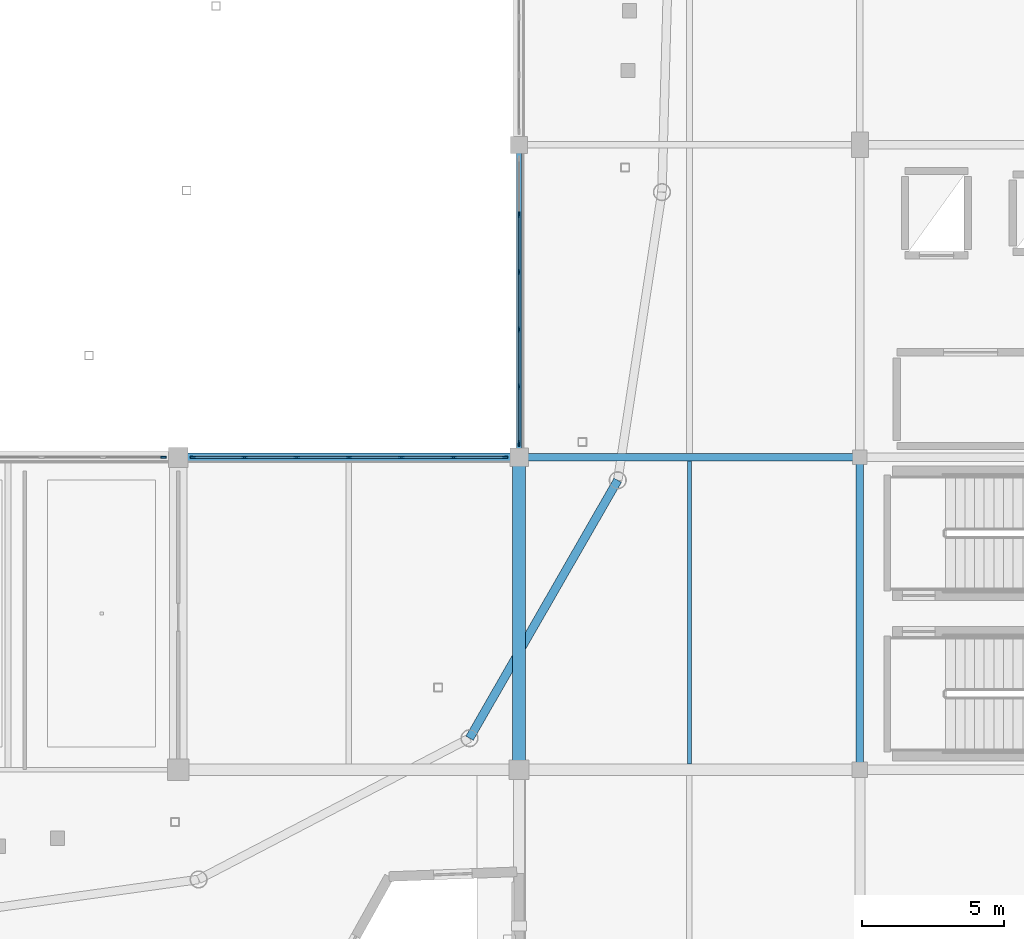
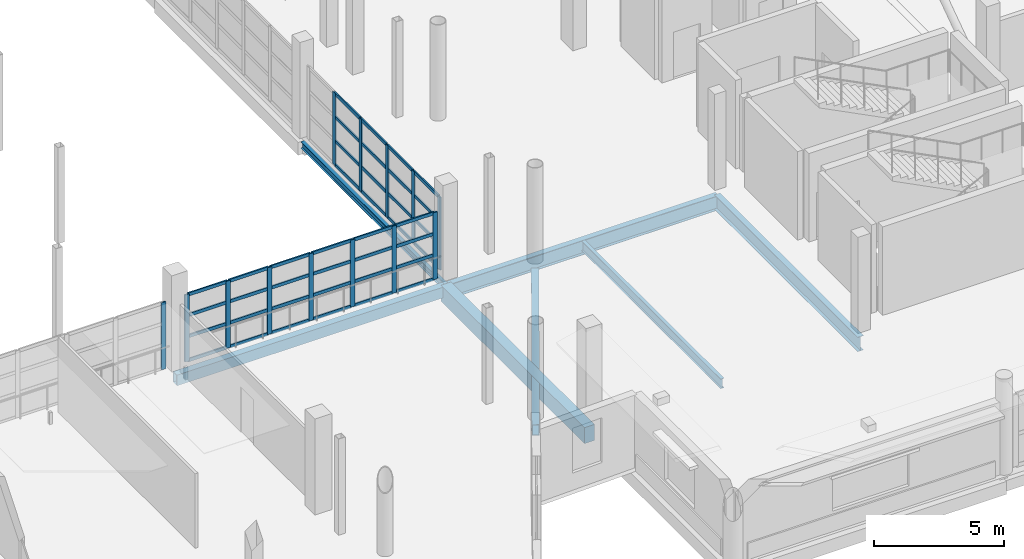
# One storey, part 51 of 118: 53 members, 7 beams, 3 elements without a shape of their own.
"""IFC4 building model written with IfcOpenShell, lengths in metres."""

from ifc_helpers import new_model, si_unit, direction, frame, origin, origin_2d, place, context, subcontext, project, spatial, rectangle, hollow_rectangle, i_section, extrude, material, material_profile, profile_set, type_object, element, aggregate, save


model = new_model("IFC4")

# Units and contexts
model_context = context("Model", 3, precision=1e-05, world=origin(), true_north=direction((0.0, 1.0)))
body_context = subcontext(model_context, "Body", "Model", "MODEL_VIEW")
ifc_project = project(units=[si_unit("LENGTHUNIT", "METRE"), si_unit("AREAUNIT", "SQUARE_METRE"), si_unit("VOLUMEUNIT", "CUBIC_METRE"), si_unit("PLANEANGLEUNIT", "RADIAN"), si_unit("MASSUNIT", "GRAM", prefix="KILO")], contexts=[model_context])

# Site, building, storey
site_placement = place(None, origin())
site = spatial("IfcSite", under=ifc_project, at=site_placement, CompositionType="ELEMENT")
building_placement = place(site_placement, origin())
building = spatial("IfcBuilding", under=site, at=building_placement, Name="Luwafu Chhajja Arena", CompositionType="ELEMENT")
storey_placement = place(building_placement, frame((0.0, 0.0, 10.199951171875)))
storey = spatial("IfcBuildingStorey", under=building, at=storey_placement, Name="L02", CompositionType="ELEMENT", Elevation=10.199951171875)

# Curtain wall, member
ifc_material_1 = material(Name="Anodised bronze aluminium", Category="aluminium")
curtain_wall_type = type_object("IfcCurtainWallType", Name="Hospitality Ring Curtain Wall", PredefinedType="USERDEFINED", material=ifc_material_1)
curtain_wall_1_placement = place(storey_placement, origin())
curtain_wall_1 = element("IfcCurtainWall", 1, at=curtain_wall_1_placement, inside=storey, type_object=curtain_wall_type, Name="L02 Bowl Viewing Curtain Wall CWR-L02-06", ObjectType="CURTAIN WALL", PredefinedType="USERDEFINED")
ifc_material_profile_1 = material_profile(ifc_material_1, rectangle(XDim=0.06494140625, YDim=0.199951171875, at=origin_2d()), Name="CWM 65x200")
ifc_profile_set_1 = profile_set([ifc_material_profile_1], Name="Anodised bronze aluminium")
member_type_1 = type_object("IfcMemberType", Name="Bronze Curtain Wall Mullion 65x200", PredefinedType="MULLION", material=ifc_profile_set_1)
member_1_placement = place(storey_placement, frame((127.4775390625, 22.0, 0.0), z_axis=(0.0, 0.0, 1.0), x_axis=(0.0, 1.0, 0.0)))
member_1 = element("IfcMember", 2, at=member_1_placement, type_object=member_type_1, Name="CW-02 mullion 5", PredefinedType="MULLION", context=body_context, shape_type="SweptSolid", body=[
    extrude(rectangle(XDim=0.06494140625, YDim=0.199951171875, at=origin_2d()), origin(), (0.0, 0.0, 1.0), 3.14013671875),
])
aggregate(curtain_wall_1, [member_1])

# Curtain wall, members
curtain_wall_2_placement = place(storey_placement, origin())
curtain_wall_2 = element("IfcCurtainWall", 3, at=curtain_wall_2_placement, inside=storey, type_object=curtain_wall_type, Name="L02 Bowl Viewing Curtain Wall CWR-L02-07", ObjectType="CURTAIN WALL", PredefinedType="USERDEFINED")
member_2_placement = place(storey_placement, frame((128.5224609375, 22.0, 0.0), z_axis=(0.0, 0.0, 1.0), x_axis=(0.0, 1.0, 0.0)))
member_2 = element("IfcMember", 4, at=member_2_placement, type_object=member_type_1, Name="CW-02 mullion 1", PredefinedType="MULLION", context=body_context, shape_type="SweptSolid", body=[
    extrude(rectangle(XDim=0.06494140625, YDim=0.199951171875, at=origin_2d()), origin(), (0.0, 0.0, 1.0), 3.14013671875),
])
member_3_placement = place(storey_placement, frame((130.330810546875, 22.0, 0.0), z_axis=(0.0, 0.0, 1.0), x_axis=(0.0, 1.0, 0.0)))
member_3 = element("IfcMember", 5, at=member_3_placement, type_object=member_type_1, Name="CW-02 mullion 2", PredefinedType="MULLION", context=body_context, shape_type="SweptSolid", body=[
    extrude(rectangle(XDim=0.06494140625, YDim=0.199951171875, at=origin_2d()), origin(), (0.0, 0.0, 1.0), 3.14013671875),
])
member_4_placement = place(storey_placement, frame((132.171630859375, 22.0, 0.0), z_axis=(0.0, 0.0, 1.0), x_axis=(0.0, 1.0, 0.0)))
member_4 = element("IfcMember", 6, at=member_4_placement, type_object=member_type_1, Name="CW-02 mullion 3", PredefinedType="MULLION", context=body_context, shape_type="SweptSolid", body=[
    extrude(rectangle(XDim=0.06494140625, YDim=0.199951171875, at=origin_2d()), origin(), (0.0, 0.0, 1.0), 3.14013671875),
])
member_5_placement = place(storey_placement, frame((134.012451171875, 22.0, 0.0), z_axis=(0.0, 0.0, 1.0), x_axis=(0.0, 1.0, 0.0)))
member_5 = element("IfcMember", 7, at=member_5_placement, type_object=member_type_1, Name="CW-02 mullion 4", PredefinedType="MULLION", context=body_context, shape_type="SweptSolid", body=[
    extrude(rectangle(XDim=0.06494140625, YDim=0.199951171875, at=origin_2d()), origin(), (0.0, 0.0, 1.0), 3.14013671875),
])
member_6_placement = place(storey_placement, frame((135.853271484375, 22.0, 0.0), z_axis=(0.0, 0.0, 1.0), x_axis=(0.0, 1.0, 0.0)))
member_6 = element("IfcMember", 8, at=member_6_placement, type_object=member_type_1, Name="CW-02 mullion 5", PredefinedType="MULLION", context=body_context, shape_type="SweptSolid", body=[
    extrude(rectangle(XDim=0.06494140625, YDim=0.199951171875, at=origin_2d()), origin(), (0.0, 0.0, 1.0), 3.14013671875),
])
member_7_placement = place(storey_placement, frame((137.694091796875, 22.0, 0.0), z_axis=(0.0, 0.0, 1.0), x_axis=(0.0, 1.0, 0.0)))
member_7 = element("IfcMember", 9, at=member_7_placement, type_object=member_type_1, Name="CW-02 mullion 6", PredefinedType="MULLION", context=body_context, shape_type="SweptSolid", body=[
    extrude(rectangle(XDim=0.06494140625, YDim=0.199951171875, at=origin_2d()), origin(), (0.0, 0.0, 1.0), 3.14013671875),
])
member_8_placement = place(storey_placement, frame((139.50244140625, 22.0, 0.0), z_axis=(0.0, 0.0, 1.0), x_axis=(0.0, 1.0, 0.0)))
member_8 = element("IfcMember", 10, at=member_8_placement, type_object=member_type_1, Name="CW-02 mullion 7", PredefinedType="MULLION", context=body_context, shape_type="SweptSolid", body=[
    extrude(rectangle(XDim=0.06494140625, YDim=0.199951171875, at=origin_2d()), origin(), (0.0, 0.0, 1.0), 3.14013671875),
])

curtain_wall_3_placement = place(storey_placement, origin())
curtain_wall_3 = element("IfcCurtainWall", 11, at=curtain_wall_3_placement, inside=storey, type_object=curtain_wall_type, Name="L02 Bowl Viewing Curtain Wall CWR-L02-20", ObjectType="CURTAIN WALL", PredefinedType="USERDEFINED")
member_9_placement = place(storey_placement, frame((140.0, 22.49755859375, 0.0), z_axis=(0.0, 0.0, 1.0), x_axis=(-1.0, 0.0, 0.0)))
member_9 = element("IfcMember", 12, at=member_9_placement, type_object=member_type_1, Name="CW-02 mullion 1", PredefinedType="MULLION", context=body_context, shape_type="SweptSolid", body=[
    extrude(rectangle(XDim=0.06494140625, YDim=0.199951171875, at=origin_2d()), origin(), (0.0, 0.0, 1.0), 3.39013671875),
])
member_10_placement = place(storey_placement, frame((140.0, 24.48388671875, 0.0), z_axis=(0.0, 0.0, 1.0), x_axis=(-1.0, 0.0, 0.0)))
member_10 = element("IfcMember", 13, at=member_10_placement, type_object=member_type_1, Name="CW-02 mullion 2", PredefinedType="MULLION", context=body_context, shape_type="SweptSolid", body=[
    extrude(rectangle(XDim=0.06494140625, YDim=0.199951171875, at=origin_2d()), origin(), (0.0, 0.0, 1.0), 3.39013671875),
])
member_11_placement = place(storey_placement, frame((140.0, 26.5029296875, 0.0), z_axis=(0.0, 0.0, 1.0), x_axis=(-1.0, 0.0, 0.0)))
member_11 = element("IfcMember", 14, at=member_11_placement, type_object=member_type_1, Name="CW-02 mullion 3", PredefinedType="MULLION", context=body_context, shape_type="SweptSolid", body=[
    extrude(rectangle(XDim=0.06494140625, YDim=0.199951171875, at=origin_2d()), origin(), (0.0, 0.0, 1.0), 3.39013671875),
])
member_12_placement = place(storey_placement, frame((140.0, 28.52197265625, 0.0), z_axis=(0.0, 0.0, 1.0), x_axis=(-1.0, 0.0, 0.0)))
member_12 = element("IfcMember", 15, at=member_12_placement, type_object=member_type_1, Name="CW-02 mullion 4", PredefinedType="MULLION", context=body_context, shape_type="SweptSolid", body=[
    extrude(rectangle(XDim=0.06494140625, YDim=0.199951171875, at=origin_2d()), origin(), (0.0, 0.0, 1.0), 3.39013671875),
])
member_13_placement = place(storey_placement, frame((140.0, 30.541015625, 0.0), z_axis=(0.0, 0.0, 1.0), x_axis=(-1.0, 0.0, 0.0)))
member_13 = element("IfcMember", 16, at=member_13_placement, type_object=member_type_1, Name="CW-02 mullion 5", PredefinedType="MULLION", context=body_context, shape_type="SweptSolid", body=[
    extrude(rectangle(XDim=0.06494140625, YDim=0.199951171875, at=origin_2d()), origin(), (0.0, 0.0, 1.0), 3.39013671875),
])

# Member
ifc_material_profile_2 = material_profile(ifc_material_1, rectangle(XDim=0.06494140625, YDim=0.14990234375, at=origin_2d()), Name="CWT 65x150")
ifc_profile_set_2 = profile_set([ifc_material_profile_2], Name="Anodised bronze aluminium")
member_type_2 = type_object("IfcMemberType", Name="Bronze Curtain Wall Transom 65x150", PredefinedType="USERDEFINED", material=ifc_profile_set_2)
member_14_placement = place(storey_placement, frame((128.554931640625, 22.0, 0.032470703125), z_axis=(1.0, 0.0, 0.0), x_axis=(0.0, 1.0, 0.0)))
member_14 = element("IfcMember", 17, at=member_14_placement, type_object=member_type_2, Name="CW-02 transom 1.1", ObjectType="TRANSOM", PredefinedType="USERDEFINED", context=body_context, shape_type="SweptSolid", body=[
    extrude(rectangle(XDim=0.06494140625, YDim=0.14990234375, at=origin_2d()), origin(), (0.0, 0.0, 1.0), 1.743408203125),
])

member_15_placement = place(storey_placement, frame((128.554931640625, 22.0, 1.150146484375), z_axis=(1.0, 0.0, 0.0), x_axis=(0.0, 1.0, 0.0)))
member_15 = element("IfcMember", 18, at=member_15_placement, type_object=member_type_2, Name="CW-02 transom 1.2", ObjectType="TRANSOM", PredefinedType="USERDEFINED", context=body_context, shape_type="SweptSolid", body=[
    extrude(rectangle(XDim=0.06494140625, YDim=0.14990234375, at=origin_2d()), origin(), (0.0, 0.0, 1.0), 1.743408203125),
])

member_16_placement = place(storey_placement, frame((128.554931640625, 22.0, 2.14501953125), z_axis=(1.0, 0.0, 0.0), x_axis=(0.0, 1.0, 0.0)))
member_16 = element("IfcMember", 19, at=member_16_placement, type_object=member_type_2, Name="CW-02 transom 1.3", ObjectType="TRANSOM", PredefinedType="USERDEFINED", context=body_context, shape_type="SweptSolid", body=[
    extrude(rectangle(XDim=0.06494140625, YDim=0.14990234375, at=origin_2d()), origin(), (0.0, 0.0, 1.0), 1.743408203125),
])

member_17_placement = place(storey_placement, frame((128.554931640625, 22.0, 3.107666015625), z_axis=(1.0, 0.0, 0.0), x_axis=(0.0, 1.0, 0.0)))
member_17 = element("IfcMember", 20, at=member_17_placement, type_object=member_type_2, Name="CW-02 transom 1.4", ObjectType="TRANSOM", PredefinedType="USERDEFINED", context=body_context, shape_type="SweptSolid", body=[
    extrude(rectangle(XDim=0.06494140625, YDim=0.14990234375, at=origin_2d()), origin(), (0.0, 0.0, 1.0), 1.743408203125),
])

member_18_placement = place(storey_placement, frame((130.36328125, 22.0, 0.032470703125), z_axis=(1.0, 0.0, 0.0), x_axis=(0.0, 1.0, 0.0)))
member_18 = element("IfcMember", 21, at=member_18_placement, type_object=member_type_2, Name="CW-02 transom 2.1", ObjectType="TRANSOM", PredefinedType="USERDEFINED", context=body_context, shape_type="SweptSolid", body=[
    extrude(rectangle(XDim=0.06494140625, YDim=0.14990234375, at=origin_2d()), origin(), (0.0, 0.0, 1.0), 1.77587890625),
])

member_19_placement = place(storey_placement, frame((130.36328125, 22.0, 1.150146484375), z_axis=(1.0, 0.0, 0.0), x_axis=(0.0, 1.0, 0.0)))
member_19 = element("IfcMember", 22, at=member_19_placement, type_object=member_type_2, Name="CW-02 transom 2.2", ObjectType="TRANSOM", PredefinedType="USERDEFINED", context=body_context, shape_type="SweptSolid", body=[
    extrude(rectangle(XDim=0.06494140625, YDim=0.14990234375, at=origin_2d()), origin(), (0.0, 0.0, 1.0), 1.77587890625),
])

member_20_placement = place(storey_placement, frame((130.36328125, 22.0, 2.14501953125), z_axis=(1.0, 0.0, 0.0), x_axis=(0.0, 1.0, 0.0)))
member_20 = element("IfcMember", 23, at=member_20_placement, type_object=member_type_2, Name="CW-02 transom 2.3", ObjectType="TRANSOM", PredefinedType="USERDEFINED", context=body_context, shape_type="SweptSolid", body=[
    extrude(rectangle(XDim=0.06494140625, YDim=0.14990234375, at=origin_2d()), origin(), (0.0, 0.0, 1.0), 1.77587890625),
])

member_21_placement = place(storey_placement, frame((130.36328125, 22.0, 3.107666015625), z_axis=(1.0, 0.0, 0.0), x_axis=(0.0, 1.0, 0.0)))
member_21 = element("IfcMember", 24, at=member_21_placement, type_object=member_type_2, Name="CW-02 transom 2.4", ObjectType="TRANSOM", PredefinedType="USERDEFINED", context=body_context, shape_type="SweptSolid", body=[
    extrude(rectangle(XDim=0.06494140625, YDim=0.14990234375, at=origin_2d()), origin(), (0.0, 0.0, 1.0), 1.77587890625),
])

member_22_placement = place(storey_placement, frame((132.2041015625, 22.0, 0.032470703125), z_axis=(1.0, 0.0, 0.0), x_axis=(0.0, 1.0, 0.0)))
member_22 = element("IfcMember", 25, at=member_22_placement, type_object=member_type_2, Name="CW-02 transom 3.1", ObjectType="TRANSOM", PredefinedType="USERDEFINED", context=body_context, shape_type="SweptSolid", body=[
    extrude(rectangle(XDim=0.06494140625, YDim=0.14990234375, at=origin_2d()), origin(), (0.0, 0.0, 1.0), 1.77587890625),
])

member_23_placement = place(storey_placement, frame((132.2041015625, 22.0, 1.150146484375), z_axis=(1.0, 0.0, 0.0), x_axis=(0.0, 1.0, 0.0)))
member_23 = element("IfcMember", 26, at=member_23_placement, type_object=member_type_2, Name="CW-02 transom 3.2", ObjectType="TRANSOM", PredefinedType="USERDEFINED", context=body_context, shape_type="SweptSolid", body=[
    extrude(rectangle(XDim=0.06494140625, YDim=0.14990234375, at=origin_2d()), origin(), (0.0, 0.0, 1.0), 1.77587890625),
])

member_24_placement = place(storey_placement, frame((132.2041015625, 22.0, 2.14501953125), z_axis=(1.0, 0.0, 0.0), x_axis=(0.0, 1.0, 0.0)))
member_24 = element("IfcMember", 27, at=member_24_placement, type_object=member_type_2, Name="CW-02 transom 3.3", ObjectType="TRANSOM", PredefinedType="USERDEFINED", context=body_context, shape_type="SweptSolid", body=[
    extrude(rectangle(XDim=0.06494140625, YDim=0.14990234375, at=origin_2d()), origin(), (0.0, 0.0, 1.0), 1.77587890625),
])

member_25_placement = place(storey_placement, frame((132.2041015625, 22.0, 3.107666015625), z_axis=(1.0, 0.0, 0.0), x_axis=(0.0, 1.0, 0.0)))
member_25 = element("IfcMember", 28, at=member_25_placement, type_object=member_type_2, Name="CW-02 transom 3.4", ObjectType="TRANSOM", PredefinedType="USERDEFINED", context=body_context, shape_type="SweptSolid", body=[
    extrude(rectangle(XDim=0.06494140625, YDim=0.14990234375, at=origin_2d()), origin(), (0.0, 0.0, 1.0), 1.77587890625),
])

member_26_placement = place(storey_placement, frame((134.044921875, 22.0, 0.032470703125), z_axis=(1.0, 0.0, 0.0), x_axis=(0.0, 1.0, 0.0)))
member_26 = element("IfcMember", 29, at=member_26_placement, type_object=member_type_2, Name="CW-02 transom 4.1", ObjectType="TRANSOM", PredefinedType="USERDEFINED", context=body_context, shape_type="SweptSolid", body=[
    extrude(rectangle(XDim=0.06494140625, YDim=0.14990234375, at=origin_2d()), origin(), (0.0, 0.0, 1.0), 1.77587890625),
])

member_27_placement = place(storey_placement, frame((134.044921875, 22.0, 1.150146484375), z_axis=(1.0, 0.0, 0.0), x_axis=(0.0, 1.0, 0.0)))
member_27 = element("IfcMember", 30, at=member_27_placement, type_object=member_type_2, Name="CW-02 transom 4.2", ObjectType="TRANSOM", PredefinedType="USERDEFINED", context=body_context, shape_type="SweptSolid", body=[
    extrude(rectangle(XDim=0.06494140625, YDim=0.14990234375, at=origin_2d()), origin(), (0.0, 0.0, 1.0), 1.77587890625),
])

member_28_placement = place(storey_placement, frame((134.044921875, 22.0, 2.14501953125), z_axis=(1.0, 0.0, 0.0), x_axis=(0.0, 1.0, 0.0)))
member_28 = element("IfcMember", 31, at=member_28_placement, type_object=member_type_2, Name="CW-02 transom 4.3", ObjectType="TRANSOM", PredefinedType="USERDEFINED", context=body_context, shape_type="SweptSolid", body=[
    extrude(rectangle(XDim=0.06494140625, YDim=0.14990234375, at=origin_2d()), origin(), (0.0, 0.0, 1.0), 1.77587890625),
])

member_29_placement = place(storey_placement, frame((134.044921875, 22.0, 3.107666015625), z_axis=(1.0, 0.0, 0.0), x_axis=(0.0, 1.0, 0.0)))
member_29 = element("IfcMember", 32, at=member_29_placement, type_object=member_type_2, Name="CW-02 transom 4.4", ObjectType="TRANSOM", PredefinedType="USERDEFINED", context=body_context, shape_type="SweptSolid", body=[
    extrude(rectangle(XDim=0.06494140625, YDim=0.14990234375, at=origin_2d()), origin(), (0.0, 0.0, 1.0), 1.77587890625),
])

member_30_placement = place(storey_placement, frame((135.8857421875, 22.0, 0.032470703125), z_axis=(1.0, 0.0, 0.0), x_axis=(0.0, 1.0, 0.0)))
member_30 = element("IfcMember", 33, at=member_30_placement, type_object=member_type_2, Name="CW-02 transom 5.1", ObjectType="TRANSOM", PredefinedType="USERDEFINED", context=body_context, shape_type="SweptSolid", body=[
    extrude(rectangle(XDim=0.06494140625, YDim=0.14990234375, at=origin_2d()), origin(), (0.0, 0.0, 1.0), 1.77587890625),
])

member_31_placement = place(storey_placement, frame((135.8857421875, 22.0, 1.150146484375), z_axis=(1.0, 0.0, 0.0), x_axis=(0.0, 1.0, 0.0)))
member_31 = element("IfcMember", 34, at=member_31_placement, type_object=member_type_2, Name="CW-02 transom 5.2", ObjectType="TRANSOM", PredefinedType="USERDEFINED", context=body_context, shape_type="SweptSolid", body=[
    extrude(rectangle(XDim=0.06494140625, YDim=0.14990234375, at=origin_2d()), origin(), (0.0, 0.0, 1.0), 1.77587890625),
])

member_32_placement = place(storey_placement, frame((135.8857421875, 22.0, 2.14501953125), z_axis=(1.0, 0.0, 0.0), x_axis=(0.0, 1.0, 0.0)))
member_32 = element("IfcMember", 35, at=member_32_placement, type_object=member_type_2, Name="CW-02 transom 5.3", ObjectType="TRANSOM", PredefinedType="USERDEFINED", context=body_context, shape_type="SweptSolid", body=[
    extrude(rectangle(XDim=0.06494140625, YDim=0.14990234375, at=origin_2d()), origin(), (0.0, 0.0, 1.0), 1.77587890625),
])

member_33_placement = place(storey_placement, frame((135.8857421875, 22.0, 3.107666015625), z_axis=(1.0, 0.0, 0.0), x_axis=(0.0, 1.0, 0.0)))
member_33 = element("IfcMember", 36, at=member_33_placement, type_object=member_type_2, Name="CW-02 transom 5.4", ObjectType="TRANSOM", PredefinedType="USERDEFINED", context=body_context, shape_type="SweptSolid", body=[
    extrude(rectangle(XDim=0.06494140625, YDim=0.14990234375, at=origin_2d()), origin(), (0.0, 0.0, 1.0), 1.77587890625),
])

member_34_placement = place(storey_placement, frame((137.7265625, 22.0, 0.032470703125), z_axis=(1.0, 0.0, 0.0), x_axis=(0.0, 1.0, 0.0)))
member_34 = element("IfcMember", 37, at=member_34_placement, type_object=member_type_2, Name="CW-02 transom 6.1", ObjectType="TRANSOM", PredefinedType="USERDEFINED", context=body_context, shape_type="SweptSolid", body=[
    extrude(rectangle(XDim=0.06494140625, YDim=0.14990234375, at=origin_2d()), origin(), (0.0, 0.0, 1.0), 1.743408203125),
])

member_35_placement = place(storey_placement, frame((137.7265625, 22.0, 1.150146484375), z_axis=(1.0, 0.0, 0.0), x_axis=(0.0, 1.0, 0.0)))
member_35 = element("IfcMember", 38, at=member_35_placement, type_object=member_type_2, Name="CW-02 transom 6.2", ObjectType="TRANSOM", PredefinedType="USERDEFINED", context=body_context, shape_type="SweptSolid", body=[
    extrude(rectangle(XDim=0.06494140625, YDim=0.14990234375, at=origin_2d()), origin(), (0.0, 0.0, 1.0), 1.743408203125),
])

member_36_placement = place(storey_placement, frame((137.7265625, 22.0, 2.14501953125), z_axis=(1.0, 0.0, 0.0), x_axis=(0.0, 1.0, 0.0)))
member_36 = element("IfcMember", 39, at=member_36_placement, type_object=member_type_2, Name="CW-02 transom 6.3", ObjectType="TRANSOM", PredefinedType="USERDEFINED", context=body_context, shape_type="SweptSolid", body=[
    extrude(rectangle(XDim=0.06494140625, YDim=0.14990234375, at=origin_2d()), origin(), (0.0, 0.0, 1.0), 1.743408203125),
])

member_37_placement = place(storey_placement, frame((137.7265625, 22.0, 3.107666015625), z_axis=(1.0, 0.0, 0.0), x_axis=(0.0, 1.0, 0.0)))
member_37 = element("IfcMember", 40, at=member_37_placement, type_object=member_type_2, Name="CW-02 transom 6.4", ObjectType="TRANSOM", PredefinedType="USERDEFINED", context=body_context, shape_type="SweptSolid", body=[
    extrude(rectangle(XDim=0.06494140625, YDim=0.14990234375, at=origin_2d()), origin(), (0.0, 0.0, 1.0), 1.743408203125),
])

aggregate(curtain_wall_2, [member_2, member_3, member_4, member_5, member_6, member_7, member_8, member_14, member_15, member_16, member_17, member_18, member_19, member_20, member_21, member_22, member_23, member_24, member_25, member_26, member_27, member_28, member_29, member_30, member_31, member_32, member_33, member_34, member_35, member_36, member_37])

member_38_placement = place(storey_placement, frame((140.0, 22.530029296875, 0.032470703125), z_axis=(0.0, 1.0, 0.0), x_axis=(-1.0, 0.0, 0.0)))
member_38 = element("IfcMember", 41, at=member_38_placement, type_object=member_type_2, Name="CW-02 transom 1.1", ObjectType="TRANSOM", PredefinedType="USERDEFINED", context=body_context, shape_type="SweptSolid", body=[
    extrude(rectangle(XDim=0.06494140625, YDim=0.14990234375, at=origin_2d()), origin(), (0.0, 0.0, 1.0), 1.92138671875),
])

member_39_placement = place(storey_placement, frame((140.0, 22.530029296875, 1.150146484375), z_axis=(0.0, 1.0, 0.0), x_axis=(-1.0, 0.0, 0.0)))
member_39 = element("IfcMember", 42, at=member_39_placement, type_object=member_type_2, Name="CW-02 transom 1.2", ObjectType="TRANSOM", PredefinedType="USERDEFINED", context=body_context, shape_type="SweptSolid", body=[
    extrude(rectangle(XDim=0.06494140625, YDim=0.14990234375, at=origin_2d()), origin(), (0.0, 0.0, 1.0), 1.92138671875),
])

member_40_placement = place(storey_placement, frame((140.0, 22.530029296875, 2.27001953125), z_axis=(0.0, 1.0, 0.0), x_axis=(-1.0, 0.0, 0.0)))
member_40 = element("IfcMember", 43, at=member_40_placement, type_object=member_type_2, Name="CW-02 transom 1.3", ObjectType="TRANSOM", PredefinedType="USERDEFINED", context=body_context, shape_type="SweptSolid", body=[
    extrude(rectangle(XDim=0.06494140625, YDim=0.14990234375, at=origin_2d()), origin(), (0.0, 0.0, 1.0), 1.92138671875),
])

member_41_placement = place(storey_placement, frame((140.0, 22.530029296875, 3.357666015625), z_axis=(0.0, 1.0, 0.0), x_axis=(-1.0, 0.0, 0.0)))
member_41 = element("IfcMember", 44, at=member_41_placement, type_object=member_type_2, Name="CW-02 transom 1.4", ObjectType="TRANSOM", PredefinedType="USERDEFINED", context=body_context, shape_type="SweptSolid", body=[
    extrude(rectangle(XDim=0.06494140625, YDim=0.14990234375, at=origin_2d()), origin(), (0.0, 0.0, 1.0), 1.92138671875),
])

member_42_placement = place(storey_placement, frame((140.0, 24.5166015625, 0.032470703125), z_axis=(0.0, 1.0, 0.0), x_axis=(-1.0, 0.0, 0.0)))
member_42 = element("IfcMember", 45, at=member_42_placement, type_object=member_type_2, Name="CW-02 transom 2.1", ObjectType="TRANSOM", PredefinedType="USERDEFINED", context=body_context, shape_type="SweptSolid", body=[
    extrude(rectangle(XDim=0.06494140625, YDim=0.14990234375, at=origin_2d()), origin(), (0.0, 0.0, 1.0), 1.953857421875),
])

member_43_placement = place(storey_placement, frame((140.0, 24.5166015625, 1.150146484375), z_axis=(0.0, 1.0, 0.0), x_axis=(-1.0, 0.0, 0.0)))
member_43 = element("IfcMember", 46, at=member_43_placement, type_object=member_type_2, Name="CW-02 transom 2.2", ObjectType="TRANSOM", PredefinedType="USERDEFINED", context=body_context, shape_type="SweptSolid", body=[
    extrude(rectangle(XDim=0.06494140625, YDim=0.14990234375, at=origin_2d()), origin(), (0.0, 0.0, 1.0), 1.953857421875),
])

member_44_placement = place(storey_placement, frame((140.0, 24.5166015625, 2.27001953125), z_axis=(0.0, 1.0, 0.0), x_axis=(-1.0, 0.0, 0.0)))
member_44 = element("IfcMember", 47, at=member_44_placement, type_object=member_type_2, Name="CW-02 transom 2.3", ObjectType="TRANSOM", PredefinedType="USERDEFINED", context=body_context, shape_type="SweptSolid", body=[
    extrude(rectangle(XDim=0.06494140625, YDim=0.14990234375, at=origin_2d()), origin(), (0.0, 0.0, 1.0), 1.953857421875),
])

member_45_placement = place(storey_placement, frame((140.0, 24.5166015625, 3.357666015625), z_axis=(0.0, 1.0, 0.0), x_axis=(-1.0, 0.0, 0.0)))
member_45 = element("IfcMember", 48, at=member_45_placement, type_object=member_type_2, Name="CW-02 transom 2.4", ObjectType="TRANSOM", PredefinedType="USERDEFINED", context=body_context, shape_type="SweptSolid", body=[
    extrude(rectangle(XDim=0.06494140625, YDim=0.14990234375, at=origin_2d()), origin(), (0.0, 0.0, 1.0), 1.953857421875),
])

member_46_placement = place(storey_placement, frame((140.0, 26.535400390625, 0.032470703125), z_axis=(0.0, 1.0, 0.0), x_axis=(-1.0, 0.0, 0.0)))
member_46 = element("IfcMember", 49, at=member_46_placement, type_object=member_type_2, Name="CW-02 transom 3.1", ObjectType="TRANSOM", PredefinedType="USERDEFINED", context=body_context, shape_type="SweptSolid", body=[
    extrude(rectangle(XDim=0.06494140625, YDim=0.14990234375, at=origin_2d()), origin(), (0.0, 0.0, 1.0), 1.9541015625),
])

member_47_placement = place(storey_placement, frame((140.0, 26.535400390625, 1.150146484375), z_axis=(0.0, 1.0, 0.0), x_axis=(-1.0, 0.0, 0.0)))
member_47 = element("IfcMember", 50, at=member_47_placement, type_object=member_type_2, Name="CW-02 transom 3.2", ObjectType="TRANSOM", PredefinedType="USERDEFINED", context=body_context, shape_type="SweptSolid", body=[
    extrude(rectangle(XDim=0.06494140625, YDim=0.14990234375, at=origin_2d()), origin(), (0.0, 0.0, 1.0), 1.9541015625),
])

member_48_placement = place(storey_placement, frame((140.0, 26.535400390625, 2.27001953125), z_axis=(0.0, 1.0, 0.0), x_axis=(-1.0, 0.0, 0.0)))
member_48 = element("IfcMember", 51, at=member_48_placement, type_object=member_type_2, Name="CW-02 transom 3.3", ObjectType="TRANSOM", PredefinedType="USERDEFINED", context=body_context, shape_type="SweptSolid", body=[
    extrude(rectangle(XDim=0.06494140625, YDim=0.14990234375, at=origin_2d()), origin(), (0.0, 0.0, 1.0), 1.9541015625),
])

member_49_placement = place(storey_placement, frame((140.0, 26.535400390625, 3.357666015625), z_axis=(0.0, 1.0, 0.0), x_axis=(-1.0, 0.0, 0.0)))
member_49 = element("IfcMember", 52, at=member_49_placement, type_object=member_type_2, Name="CW-02 transom 3.4", ObjectType="TRANSOM", PredefinedType="USERDEFINED", context=body_context, shape_type="SweptSolid", body=[
    extrude(rectangle(XDim=0.06494140625, YDim=0.14990234375, at=origin_2d()), origin(), (0.0, 0.0, 1.0), 1.9541015625),
])

member_50_placement = place(storey_placement, frame((140.0, 28.554443359375, 0.032470703125), z_axis=(0.0, 1.0, 0.0), x_axis=(-1.0, 0.0, 0.0)))
member_50 = element("IfcMember", 53, at=member_50_placement, type_object=member_type_2, Name="CW-02 transom 4.1", ObjectType="TRANSOM", PredefinedType="USERDEFINED", context=body_context, shape_type="SweptSolid", body=[
    extrude(rectangle(XDim=0.06494140625, YDim=0.14990234375, at=origin_2d()), origin(), (0.0, 0.0, 1.0), 1.9541015625),
])

member_51_placement = place(storey_placement, frame((140.0, 28.554443359375, 1.150146484375), z_axis=(0.0, 1.0, 0.0), x_axis=(-1.0, 0.0, 0.0)))
member_51 = element("IfcMember", 54, at=member_51_placement, type_object=member_type_2, Name="CW-02 transom 4.2", ObjectType="TRANSOM", PredefinedType="USERDEFINED", context=body_context, shape_type="SweptSolid", body=[
    extrude(rectangle(XDim=0.06494140625, YDim=0.14990234375, at=origin_2d()), origin(), (0.0, 0.0, 1.0), 1.9541015625),
])

member_52_placement = place(storey_placement, frame((140.0, 28.554443359375, 2.27001953125), z_axis=(0.0, 1.0, 0.0), x_axis=(-1.0, 0.0, 0.0)))
member_52 = element("IfcMember", 55, at=member_52_placement, type_object=member_type_2, Name="CW-02 transom 4.3", ObjectType="TRANSOM", PredefinedType="USERDEFINED", context=body_context, shape_type="SweptSolid", body=[
    extrude(rectangle(XDim=0.06494140625, YDim=0.14990234375, at=origin_2d()), origin(), (0.0, 0.0, 1.0), 1.9541015625),
])

member_53_placement = place(storey_placement, frame((140.0, 28.554443359375, 3.357666015625), z_axis=(0.0, 1.0, 0.0), x_axis=(-1.0, 0.0, 0.0)))
member_53 = element("IfcMember", 56, at=member_53_placement, type_object=member_type_2, Name="CW-02 transom 4.4", ObjectType="TRANSOM", PredefinedType="USERDEFINED", context=body_context, shape_type="SweptSolid", body=[
    extrude(rectangle(XDim=0.06494140625, YDim=0.14990234375, at=origin_2d()), origin(), (0.0, 0.0, 1.0), 1.9541015625),
])

aggregate(curtain_wall_3, [member_9, member_10, member_11, member_12, member_13, member_38, member_39, member_40, member_41, member_42, member_43, member_44, member_45, member_46, member_47, member_48, member_49, member_50, member_51, member_52, member_53])

# Beams
ifc_material_2 = material(Name="Steel S355", Category="steel")
ifc_material_profile_3 = material_profile(ifc_material_2, i_section(OverallWidth=0.165771484375, OverallDepth=0.306640625, WebThickness=0.006591796875, FlangeThickness=0.01171875, at=origin_2d()), Name="UB 305x165x46")
ifc_profile_set_3 = profile_set([ifc_material_profile_3], Name="Steel S355")
beam_type_1 = type_object("IfcBeamType", Name="Concourse Edge Spandrel Beam UB 305x165x46", PredefinedType="SPANDREL", material=ifc_profile_set_3)
beam_1_placement = place(storey_placement, frame((140.0, 22.0, -0.543212890625), z_axis=(0.0, 1.0, 0.0), x_axis=(-1.0, 0.0, 0.0)))
element("IfcBeam", 57, at=beam_1_placement, inside=storey, type_object=beam_type_1, Name="L02 Grid Beam 13/C-D", PredefinedType="SPANDREL", context=body_context, shape_type="SweptSolid", body=[
    extrude(i_section(OverallWidth=0.165771484375, OverallDepth=0.306640625, WebThickness=0.006591796875, FlangeThickness=0.01171875, at=origin_2d()), origin(), (0.0, 0.0, 1.0), 11.0),
])
ifc_material_profile_4 = material_profile(ifc_material_2, i_section(OverallWidth=0.15283203125, OverallDepth=0.45458984375, WebThickness=0.008056640625, FlangeThickness=0.01318359375, at=origin_2d()), Name="UB 457x152x60")
ifc_profile_set_4 = profile_set([ifc_material_profile_4], Name="Steel S355")
beam_type_2 = type_object("IfcBeamType", Name="Floor Joist UB 457x152x60", PredefinedType="JOIST", material=ifc_profile_set_4)
beam_2_placement = place(storey_placement, frame((146.0, 11.199951171875, -0.6171875), z_axis=(0.0, 1.0, 0.0), x_axis=(-1.0, 0.0, 0.0)))
element("IfcBeam", 58, at=beam_2_placement, inside=storey, type_object=beam_type_2, Name="L02 Secondary Joist 13-14/B", PredefinedType="JOIST", context=body_context, shape_type="SweptSolid", body=[
    extrude(i_section(OverallWidth=0.15283203125, OverallDepth=0.45458984375, WebThickness=0.008056640625, FlangeThickness=0.01318359375, at=origin_2d()), origin(), (0.0, 0.0, 1.0), 10.673095703125),
])
ifc_material_profile_5 = material_profile(ifc_material_2, hollow_rectangle(XDim=0.300048828125, YDim=0.5, WallThickness=0.02001953125, at=origin_2d()), Name="RHS 500x300x20")
ifc_profile_set_5 = profile_set([ifc_material_profile_5], Name="Steel S355")
beam_type_3 = type_object("IfcBeamType", Name="Pleated Drum Spandrel Beam RHS 500x300", PredefinedType="SPANDREL", material=ifc_profile_set_5)
beam_3_placement = place(storey_placement, frame((128.0, 22.0, -0.639892578125), z_axis=(1.0, 0.0, 0.0), x_axis=(0.0, 1.0, 0.0)))
element("IfcBeam", 59, at=beam_3_placement, inside=storey, type_object=beam_type_3, Name="L02 Grid Beam 12-13/C", PredefinedType="SPANDREL", context=body_context, shape_type="SweptSolid", body=[
    extrude(hollow_rectangle(XDim=0.300048828125, YDim=0.5, WallThickness=0.02001953125, at=origin_2d()), origin(), (0.0, 0.0, 1.0), 12.0),
])
beam_4_placement = place(storey_placement, frame((138.256103515625, 12.109130859375, -0.639892578125), z_axis=(0.498192671921, 0.867066353657, 0.0), x_axis=(-0.867066353657, 0.498192671921, 0.0)))
element("IfcBeam", 60, at=beam_4_placement, inside=storey, type_object=beam_type_3, Name="L02 Drum Ring Spandrel D29-D30", PredefinedType="SPANDREL", context=body_context, shape_type="SweptSolid", body=[
    extrude(hollow_rectangle(XDim=0.300048828125, YDim=0.5, WallThickness=0.02001953125, at=origin_2d()), origin(), (0.0, 0.0, 1.0), 10.477783203125),
])
ifc_material_profile_6 = material_profile(ifc_material_2, i_section(OverallWidth=0.253662109375, OverallDepth=0.68359375, WebThickness=0.012451171875, FlangeThickness=0.01904296875, at=origin_2d()), Name="UB 686x254x140")
ifc_profile_set_6 = profile_set([ifc_material_profile_6], Name="Steel S355")
beam_type_4 = type_object("IfcBeamType", Name="Steel Concourse Girder UB 686x254x140", PredefinedType="BEAM", material=ifc_profile_set_6)
beam_5_placement = place(storey_placement, frame((140.0, 22.0, -0.731689453125), z_axis=(1.0, 0.0, 0.0), x_axis=(0.0, 1.0, 0.0)))
element("IfcBeam", 61, at=beam_5_placement, inside=storey, type_object=beam_type_4, Name="L02 Grid Beam 13-14/C", PredefinedType="BEAM", context=body_context, shape_type="SweptSolid", body=[
    extrude(i_section(OverallWidth=0.253662109375, OverallDepth=0.68359375, WebThickness=0.012451171875, FlangeThickness=0.01904296875, at=origin_2d()), origin(), (0.0, 0.0, 1.0), 12.0),
])
beam_6_placement = place(storey_placement, frame((152.0, 11.0, -0.731689453125), z_axis=(0.0, 1.0, 0.0), x_axis=(-1.0, 0.0, 0.0)))
element("IfcBeam", 62, at=beam_6_placement, inside=storey, type_object=beam_type_4, Name="L02 Grid Beam 14/B-C", PredefinedType="BEAM", context=body_context, shape_type="SweptSolid", body=[
    extrude(i_section(OverallWidth=0.253662109375, OverallDepth=0.68359375, WebThickness=0.012451171875, FlangeThickness=0.01904296875, at=origin_2d()), origin(), (0.0, 0.0, 1.0), 11.0),
])
ifc_material_3 = material(Name="Concrete C35/45", Category="concrete")
ifc_material_profile_7 = material_profile(ifc_material_3, rectangle(XDim=0.449951171875, YDim=0.75, at=origin_2d()), Name="RC 450x750")
ifc_profile_set_7 = profile_set([ifc_material_profile_7], Name="Concrete C35/45")
beam_type_5 = type_object("IfcBeamType", Name="Wing Primary Beam RC 450x750", PredefinedType="BEAM", material=ifc_profile_set_7)
beam_7_placement = place(storey_placement, frame((140.0, 11.0, -0.764892578125), z_axis=(0.0, 1.0, 0.0), x_axis=(-1.0, 0.0, 0.0)))
element("IfcBeam", 63, at=beam_7_placement, inside=storey, type_object=beam_type_5, Name="L02 Grid Beam 13/B-C", PredefinedType="BEAM", context=body_context, shape_type="SweptSolid", body=[
    extrude(rectangle(XDim=0.449951171875, YDim=0.75, at=origin_2d()), origin(), (0.0, 0.0, 1.0), 11.0),
])

save(model, "model.ifc")
